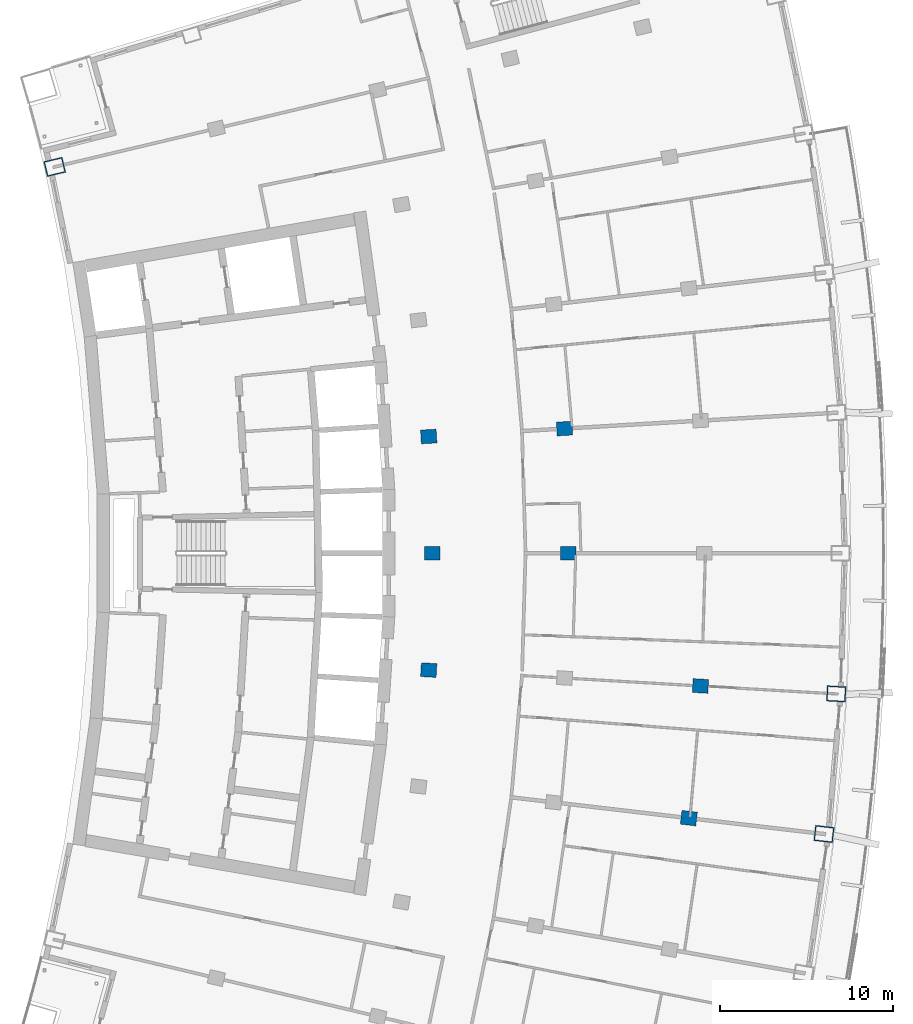
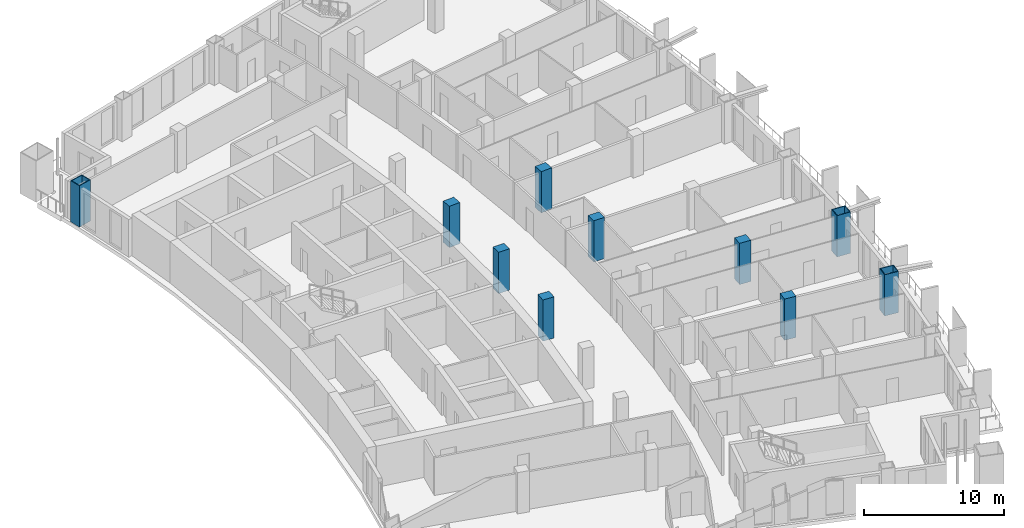
# One storey, part 4 of 20: 10 columns.
"""IFC4 building model written with IfcOpenShell, lengths in metres."""

from ifc_helpers import new_model, si_unit, direction, frame, origin, origin_2d, place, context, subcontext, project, spatial, rectangle, hollow_rectangle, extrude, material, material_profile, profile_set, type_object, element, save


model = new_model("IFC4")

# Units and contexts
model_context = context("Model", 3, precision=1e-05, world=origin(), true_north=direction((0.0, 1.0)))
body_context = subcontext(model_context, "Body", "Model", "MODEL_VIEW")
ifc_project = project(units=[si_unit("LENGTHUNIT", "METRE"), si_unit("AREAUNIT", "SQUARE_METRE"), si_unit("VOLUMEUNIT", "CUBIC_METRE"), si_unit("PLANEANGLEUNIT", "RADIAN"), si_unit("MASSUNIT", "GRAM", prefix="KILO")], contexts=[model_context])

# Site, building, storey
site_placement = place(None, origin())
site = spatial("IfcSite", under=ifc_project, at=site_placement, CompositionType="ELEMENT")
building_placement = place(site_placement, origin())
building = spatial("IfcBuilding", under=site, at=building_placement, Name="Alderwake Tower", CompositionType="ELEMENT")
storey_placement = place(building_placement, frame((0.0, 0.0, 164.0)))
storey = spatial("IfcBuildingStorey", under=building, at=storey_placement, Name="L40", CompositionType="ELEMENT", Elevation=164.0)

# Columns
ifc_material_1 = material(Name="Concrete C70/85", Category="concrete")
ifc_material_profile_1 = material_profile(ifc_material_1, rectangle(XDim=0.800048828125, YDim=0.89990234375, at=origin_2d()), Name="RC 900X800")
ifc_profile_set_1 = profile_set([ifc_material_profile_1], Name="Concrete C70/85")
column_type_1 = type_object("IfcColumnType", Name="Interior column Z3", PredefinedType="COLUMN", material=ifc_profile_set_1)
for number, where, z_axis, x_axis, name in (
    (1, (50.63916015625, 45.689208984375, 0.0), (0.0, 0.0, 1.0), (0.116402054316, 0.993202175668, 0.0), "Column R05-C4"),
    (2, (35.60302734375, 54.248779296875, 0.0), (0.0, 0.0, 1.0), (0.058301061284, 0.998299046505, 0.0), "Column R06-C2"),
    (3, (51.3095703125, 53.33154296875, 0.0), (0.0, 0.0, 1.0), (0.058299318924, 0.998299148258, 0.0), "Column R06-C4"),
    (4, (35.800048828125, 61.0, 0.0), (0.0, 0.0, 1.0), (0.0, 1.0, 0.0), "Column R07-C2"),
    (5, (43.666748046875, 61.0, 0.0), (0.0, 0.0, 1.0), (0.0, 1.0, 0.0), "Column R07-C3"),
    (6, (35.60302734375, 67.751220703125, 0.0), (0.0, 0.0, 1.0), (-0.058301061284, 0.998299046505, 0.0), "Column R08-C2"),
    (7, (43.456298828125, 68.209716796875, 0.0), (0.0, 0.0, 1.0), (-0.058301061284, 0.998299046505, 0.0), "Column R08-C3"),
):
    element("IfcColumn", number, at=place(storey_placement, frame(where, z_axis=z_axis, x_axis=x_axis)), inside=storey, type_object=column_type_1, Name=name, PredefinedType="COLUMN", context=body_context, shape_type="SweptSolid", body=[
        extrude(rectangle(XDim=0.800048828125, YDim=0.89990234375, at=origin_2d()), origin(), (0.0, 0.0, 1.0), 3.60009765625),
    ])
ifc_material_2 = material(Name="Steel ASTM A572 Grade 50 concrete filled C70/85", Category="concrete")
ifc_material_profile_2 = material_profile(ifc_material_2, hollow_rectangle(XDim=0.89990234375, YDim=1.10009765625, WallThickness=0.06005859375, at=origin_2d()), Name="BOX 1100X900X60")
ifc_profile_set_2 = profile_set([ifc_material_profile_2], Name="Steel ASTM A572 Grade 50 concrete filled C70/85")
column_type_2 = type_object("IfcColumnType", Name="Perimeter column Z3", PredefinedType="COLUMN", material=ifc_profile_set_2)
for number, where, z_axis, x_axis, name in (
    (8, (58.452392578125, 44.7734375, 0.0), (0.0, 0.0, 1.0), (0.116402054316, 0.993202175668, 0.0), "Column R05-C5"),
    (9, (59.162841796875, 52.872802734375, 0.0), (0.0, 0.0, 1.0), (0.058301061284, 0.998299046505, 0.0), "Column R06-C5"),
    (10, (13.982177734375, 83.3359375, 0.0), (0.0, 0.0, 1.0), (-0.231221547198, 0.972901123502, 0.0), "Column R11-C0"),
):
    element("IfcColumn", number, at=place(storey_placement, frame(where, z_axis=z_axis, x_axis=x_axis)), inside=storey, type_object=column_type_2, Name=name, PredefinedType="COLUMN", context=body_context, shape_type="SweptSolid", body=[
        extrude(hollow_rectangle(XDim=0.89990234375, YDim=1.10009765625, WallThickness=0.06005859375, at=origin_2d()), origin(), (0.0, 0.0, 1.0), 3.60009765625),
    ])

save(model, "model.ifc")
